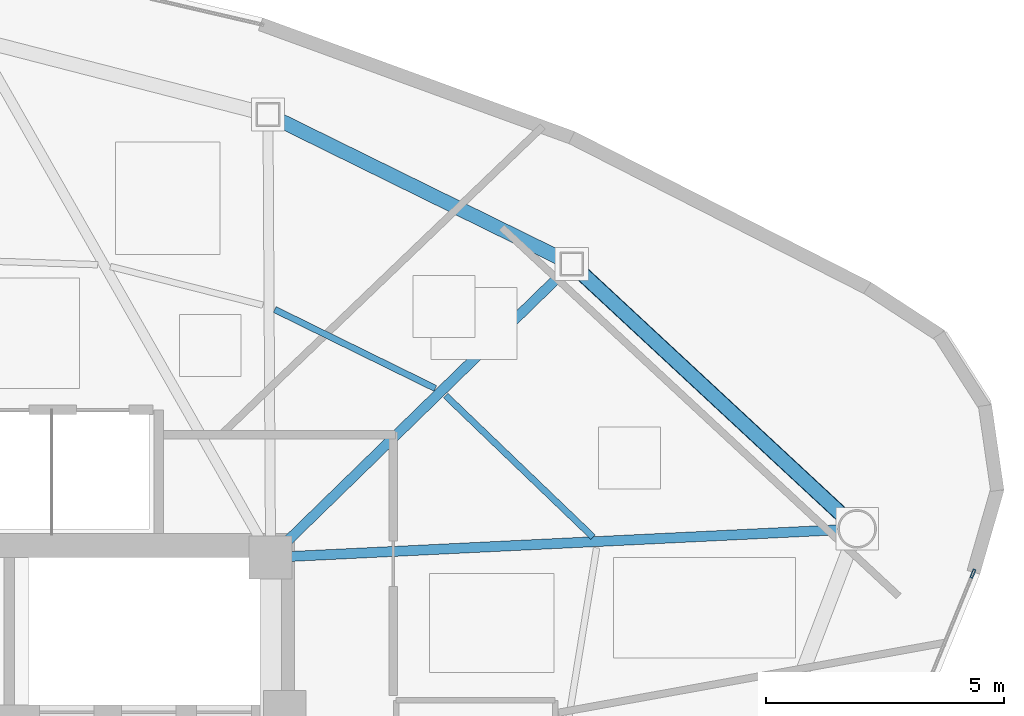
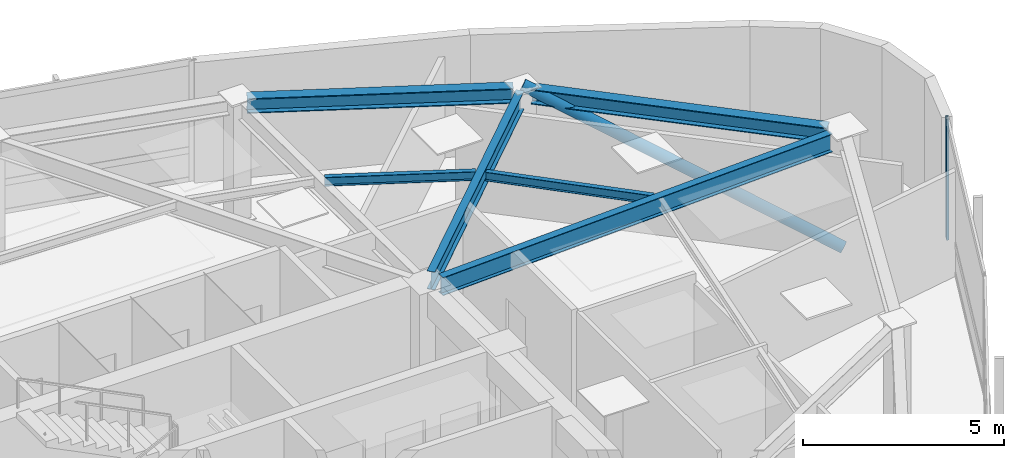
# One storey, part 7 of 14: 6 beams, 2 members, 1 element without a shape of its own.
"""IFC4 building model written with IfcOpenShell, lengths in metres."""

from ifc_helpers import new_model, si_unit, direction, frame, origin, origin_2d, place, context, subcontext, project, spatial, hollow_rectangle, hollow_circle, i_section, extrude, source, transform, mapped, material, layer, layer_set, material_profile, profile_set, type_object, type_shapes, element, aggregate, save


model = new_model("IFC4")

# Units and contexts
model_context = context("Model", 3, precision=1e-05, world=origin(), true_north=direction((0.0, 1.0)))
body_context = subcontext(model_context, "Body", "Model", "MODEL_VIEW")
ifc_project = project(units=[si_unit("LENGTHUNIT", "METRE"), si_unit("AREAUNIT", "SQUARE_METRE"), si_unit("VOLUMEUNIT", "CUBIC_METRE"), si_unit("PLANEANGLEUNIT", "RADIAN"), si_unit("MASSUNIT", "GRAM", prefix="KILO")], contexts=[model_context])

# Site, building, storey
site_placement = place(None, origin())
site = spatial("IfcSite", under=ifc_project, at=site_placement, CompositionType="ELEMENT")
building_placement = place(site_placement, origin())
building = spatial("IfcBuilding", under=site, at=building_placement, Name="Tavelor Broadcast Tower", CompositionType="ELEMENT")
storey_placement = place(building_placement, frame((0.0, 0.0, 253.75)))
storey = spatial("IfcBuildingStorey", under=building, at=storey_placement, Name="L60", CompositionType="ELEMENT", Elevation=253.75)

# Beams
ifc_material_1 = material(Name="Steel S355", Category="steel")
ifc_material_profile_1 = material_profile(ifc_material_1, i_section(OverallWidth=0.135009765625, OverallDepth=0.27001953125, WebThickness=0.006591796875, FlangeThickness=0.01025390625, at=origin_2d()), Name="IPE 270")
ifc_profile_set_1 = profile_set([ifc_material_profile_1], Name="Steel S355")
beam_type_1 = type_object("IfcBeamType", Name="Composite Floor Joist T6 IPE 270", PredefinedType="JOIST", material=ifc_profile_set_1)
beam_1_placement = place(storey_placement, frame((63.373779296875, 51.627197265625, 3.514892578125), z_axis=(-0.72136115861, 0.692559079682, 0.0), x_axis=(-0.692559079682, -0.72136115861, 0.0)))
element("IfcBeam", 1, at=beam_1_placement, inside=storey, type_object=beam_type_1, Name="L60 Secondary Composite Floor Joist 13", PredefinedType="JOIST", context=body_context, shape_type="SweptSolid", body=[
    extrude(i_section(OverallWidth=0.135009765625, OverallDepth=0.27001953125, WebThickness=0.006591796875, FlangeThickness=0.01025390625, at=origin_2d()), origin(), (0.0, 0.0, 1.0), 4.2890625),
])
beam_2_placement = place(storey_placement, frame((60.062744140625, 54.749755859375, 3.514892578125), z_axis=(-0.897549365046, 0.440913979485, 0.0), x_axis=(-0.440913979485, -0.897549365046, 0.0)))
element("IfcBeam", 2, at=beam_2_placement, inside=storey, type_object=beam_type_1, Name="L60 Secondary Composite Floor Joist 14", PredefinedType="JOIST", context=body_context, shape_type="SweptSolid", body=[
    extrude(i_section(OverallWidth=0.135009765625, OverallDepth=0.27001953125, WebThickness=0.006591796875, FlangeThickness=0.01025390625, at=origin_2d()), origin(), (0.0, 0.0, 1.0), 3.758056640625),
])
ifc_material_profile_2 = material_profile(ifc_material_1, i_section(OverallWidth=0.300048828125, OverallDepth=0.449951171875, WebThickness=0.013916015625, FlangeThickness=0.02587890625, at=origin_2d()), Name="HEB 450")
ifc_profile_set_2 = profile_set([ifc_material_profile_2], Name="Steel S355")
beam_type_2 = type_object("IfcBeamType", Name="Perimeter Spandrel Beam T6 HEB 450", PredefinedType="SPANDREL", material=ifc_profile_set_2)
beam_3_placement = place(storey_placement, frame((68.6337890625, 52.064697265625, 3.425048828125), z_axis=(-0.732775058348, 0.680470950051, 0.0), x_axis=(-0.680470950051, -0.732775058348, 0.0)))
element("IfcBeam", 3, at=beam_3_placement, inside=storey, type_object=beam_type_2, Name="L60 Framed-Tube Ring Spandrel 13", PredefinedType="SPANDREL", context=body_context, shape_type="SweptSolid", body=[
    extrude(i_section(OverallWidth=0.300048828125, OverallDepth=0.449951171875, WebThickness=0.013916015625, FlangeThickness=0.02587890625, at=origin_2d()), origin(), (0.0, 0.0, 1.0), 7.547607421875),
])
beam_4_placement = place(storey_placement, frame((62.7119140625, 57.469970703125, 3.425048828125), z_axis=(-0.897258179133, 0.441506240022, 0.0), x_axis=(-0.441506240022, -0.897258179134, 0.0)))
element("IfcBeam", 4, at=beam_4_placement, inside=storey, type_object=beam_type_2, Name="L60 Framed-Tube Ring Spandrel 14", PredefinedType="SPANDREL", context=body_context, shape_type="SweptSolid", body=[
    extrude(i_section(OverallWidth=0.300048828125, OverallDepth=0.449951171875, WebThickness=0.013916015625, FlangeThickness=0.02587890625, at=origin_2d()), origin(), (0.0, 0.0, 1.0), 6.63232421875),
])

# Member
ifc_material_profile_3 = material_profile(ifc_material_1, hollow_circle(Radius=0.161865234375, WallThickness=0.01611328125, at=origin_2d()), Name="CHS 323.9x16")
ifc_profile_set_3 = profile_set([ifc_material_profile_3], Name="Steel S355")
member_type_1 = type_object("IfcMemberType", Name="Perimeter Tube Brace T6 CHS 323.9x16", PredefinedType="BRACE", material=ifc_profile_set_3)
member_1_placement = place(storey_placement, frame((68.919677734375, 51.799072265625, 0.0), z_axis=(-0.669140005594, 0.621404656244, 0.407563376803), x_axis=(-0.680486595916, -0.732760528944, 0.0)))
element("IfcMember", 5, at=member_1_placement, inside=storey, type_object=member_type_1, Name="L60 Corner Tube Diagonal Brace 3", PredefinedType="BRACE", context=body_context, shape_type="SweptSolid", body=[
    extrude(hollow_circle(Radius=0.161865234375, WallThickness=0.01611328125, at=origin_2d()), origin(), (0.0, 0.0, 1.0), 8.955322265625),
])

# Beams
ifc_material_profile_4 = material_profile(ifc_material_1, i_section(OverallWidth=0.2099609375, OverallDepth=0.550048828125, WebThickness=0.010986328125, FlangeThickness=0.01708984375, at=origin_2d()), Name="IPE 550")
ifc_profile_set_4 = profile_set([ifc_material_profile_4], Name="Steel S355")
beam_type_3 = type_object("IfcBeamType", Name="Radial Floor Girder T6 IPE 550", PredefinedType="BEAM", material=ifc_profile_set_4)
beam_5_placement = place(storey_placement, frame((57.031494140625, 51.220947265625, 3.375), z_axis=(0.998819991205, 0.048565678915, 0.0), x_axis=(-0.048565678915, 0.998819991205, 0.0)))
element("IfcBeam", 6, at=beam_5_placement, inside=storey, type_object=beam_type_3, Name="L60 Radial Primary Floor Girder 13", PredefinedType="BEAM", context=body_context, shape_type="SweptSolid", body=[
    extrude(i_section(OverallWidth=0.2099609375, OverallDepth=0.550048828125, WebThickness=0.010986328125, FlangeThickness=0.01708984375, at=origin_2d()), origin(), (0.0, 0.0, 1.0), 11.511962890625),
])
beam_6_placement = place(storey_placement, frame((56.909423828125, 51.50146484375, 3.375), z_axis=(0.716304728622, 0.697787600745, 0.0), x_axis=(-0.697787600745, 0.716304728622, 0.0)))
element("IfcBeam", 7, at=beam_6_placement, inside=storey, type_object=beam_type_3, Name="L60 Radial Primary Floor Girder 14", PredefinedType="BEAM", context=body_context, shape_type="SweptSolid", body=[
    extrude(i_section(OverallWidth=0.2099609375, OverallDepth=0.550048828125, WebThickness=0.010986328125, FlangeThickness=0.01708984375, at=origin_2d()), origin(), (0.0, 0.0, 1.0), 8.161376953125),
])

# Curtain wall, member
ifc_material_2 = material(Name="Architectural Anodized Aluminium", Category="aluminium")
ifc_layer = layer(ifc_material_2, 0.199951171875)
ifc_layer_set = layer_set([ifc_layer], Name="Architectural Anodized Aluminium")
curtain_wall_type = type_object("IfcCurtainWallType", Name="Tower High-Zone Triple-Glazed Curtain Wall CW04", PredefinedType="NOTDEFINED", material=ifc_layer_set)
curtain_wall_placement = place(storey_placement, origin())
curtain_wall = element("IfcCurtainWall", 8, at=curtain_wall_placement, inside=storey, type_object=curtain_wall_type, Name="L60 Curtain Wall CW04 Run 656", PredefinedType="NOTDEFINED")
ifc_material_profile_5 = material_profile(ifc_material_2, hollow_rectangle(XDim=0.070068359375, YDim=0.199951171875, WallThickness=0.02197265625, at=origin_2d()), Name="RHS 70x200x22")
ifc_profile_set_5 = profile_set([ifc_material_profile_5], Name="Architectural Anodized Aluminium")
member_type_2 = type_object("IfcMemberType", Name="CW04 Extruded Aluminium Mullion 70x200", PredefinedType="MULLION", material=ifc_profile_set_5)
shared_shape = source(origin(), body_context, "Body", "SweptSolid", [
    extrude(hollow_rectangle(XDim=0.070068359375, YDim=0.199951171875, WallThickness=0.02197265625, at=origin_2d()), origin(), (0.0, 0.0, 1.0), 3.64990234375),
])
type_shapes(member_type_2, [shared_shape])
member_2_placement = place(storey_placement, frame((71.35302734375, 50.859619140625, 0.0), z_axis=(0.0, 0.0, 1.0), x_axis=(-0.925719619524, 0.378210504914, 0.0)))
member_2 = element("IfcMember", 9, at=member_2_placement, type_object=member_type_2, Name="CW04 mullion 2", PredefinedType="MULLION", context=body_context, shape_type="MappedRepresentation", body=[
    mapped(shared_shape, transform((0.0, 0.0, 0.0), scale=1.0)),
])
aggregate(curtain_wall, [member_2])

save(model, "model.ifc")
